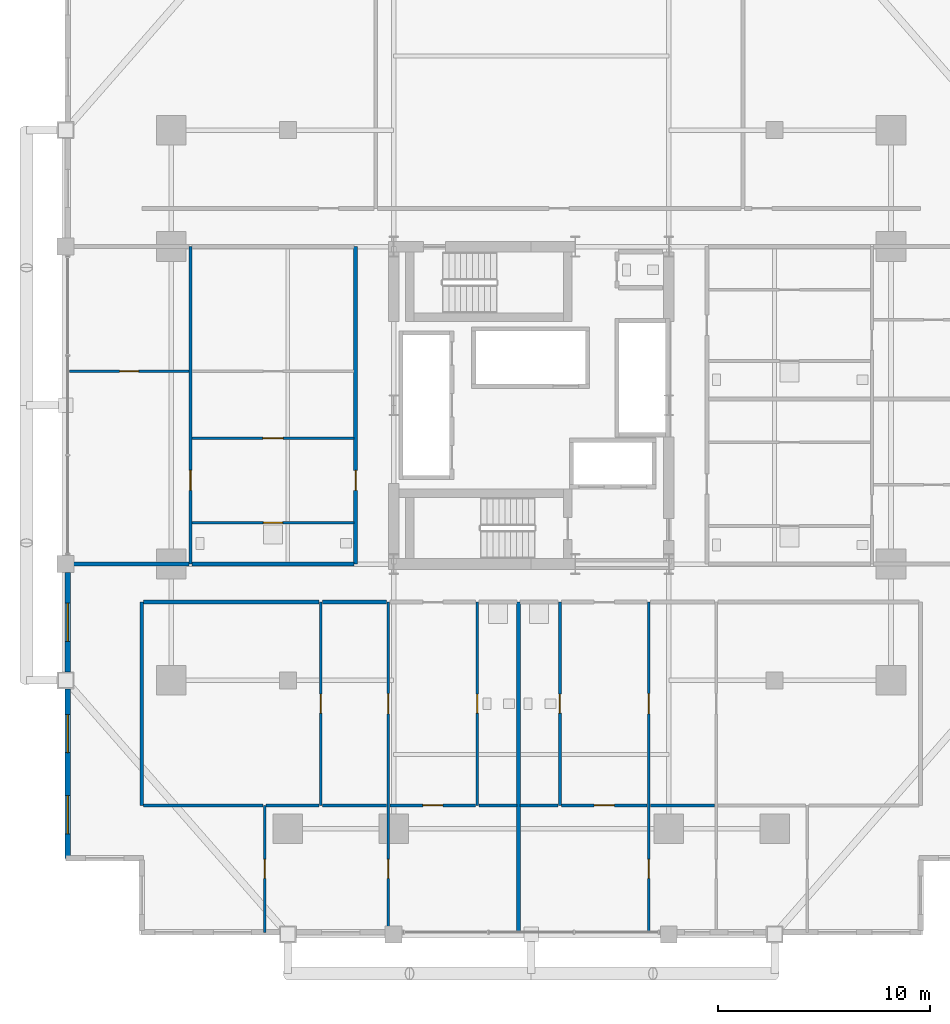
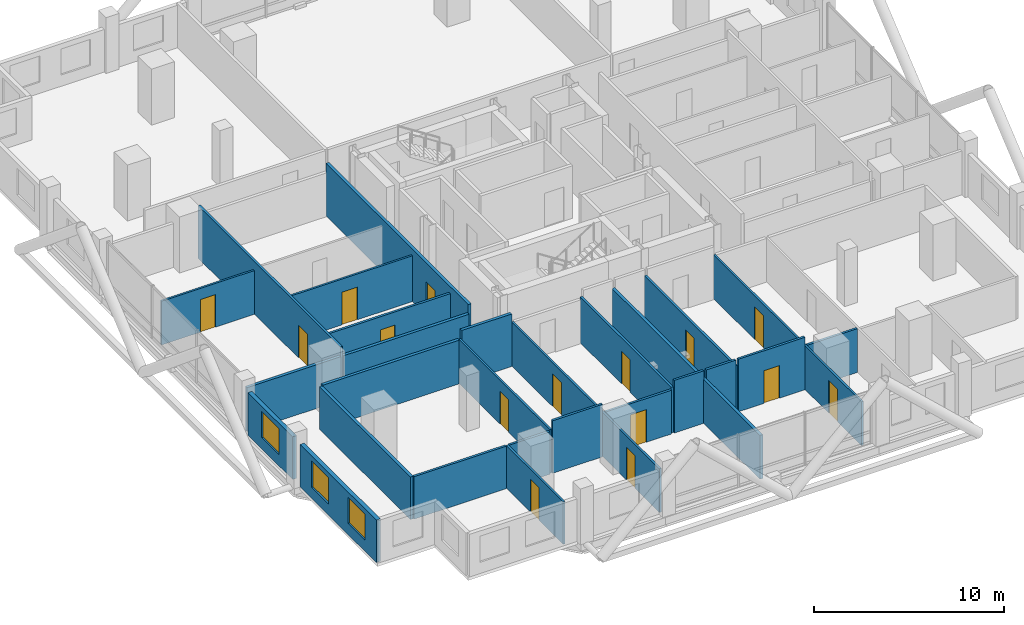
# One storey, part 21 of 27: 27 walls, 15 doors, 3 windows, 18 openings.
"""IFC4 building model written with IfcOpenShell, lengths in metres."""

import ifcopenshell
import ifcopenshell.guid

model = None  # the IFC model being written
_history = None  # IfcOwnerHistory: only IFC2X3 demands one
_inside = {}  # id of a spatial element -> (the spatial element, [elements in it])
_under = {}  # id of a project, library or spatial element -> (it, [spatial elements below it])
_declared = {}  # id of a project -> (the project, [libraries it declares])
_typed = {}  # id of a type object -> (the type object, [elements of that type])
_made_of = {}  # id of a material, layer set ... -> (it, [elements and type objects made of it])


def new_model(schema):
    """Start an empty IFC model of exactly this schema.

    Asked for "IFC4X3", IfcOpenShell would pick the latest addendum, in which some entities
    have other attributes; the version numbers below select the first issue.
    IFC2X3 requires an IfcOwnerHistory on every rooted entity: one is made here for all.
    """
    global model, _history
    if schema == "IFC4X3":
        model = ifcopenshell.file(schema_version=(4, 3, 0, 0))
    else:
        model = ifcopenshell.file(schema=schema)
    _inside.clear()
    _under.clear()
    _declared.clear()
    _typed.clear()
    _made_of.clear()
    _history = None
    if model.schema == "IFC2X3":
        org = make("IfcOrganization", Name="unknown")
        user = make(
            "IfcPersonAndOrganization",
            ThePerson=make("IfcPerson", FamilyName="unknown"),
            TheOrganization=org,
        )
        app = make(
            "IfcApplication",
            ApplicationDeveloper=org,
            Version="unknown",
            ApplicationFullName="unknown",
            ApplicationIdentifier="unknown",
        )
        _history = make(
            "IfcOwnerHistory",
            OwningUser=user,
            OwningApplication=app,
            ChangeAction="ADDED",
            CreationDate=0,
        )
    return model


def make(cls, **values):
    """One entity of the class cls with the attributes given. An attribute that is None is left unset."""
    return model.create_entity(
        cls, **{name: value for name, value in values.items() if value is not None}
    )


def rooted(cls, **values):
    """An entity with a GlobalId (a new one), such as an element, a storey or a relation."""
    return make(cls, GlobalId=ifcopenshell.guid.new(), OwnerHistory=_history, **values)


def si_unit(unit_type, name, prefix=None):
    """IfcSIUnit, for example si_unit("LENGTHUNIT", "METRE", prefix="MILLI")."""
    return make("IfcSIUnit", UnitType=unit_type, Prefix=prefix, Name=name)


def assignment(units):
    """IfcUnitAssignment: the units of a project."""
    return None if units is None else make("IfcUnitAssignment", Units=units)


def point(xyz):
    """IfcCartesianPoint."""
    return None if xyz is None else make("IfcCartesianPoint", Coordinates=xyz)


def direction(xyz):
    """IfcDirection."""
    return None if xyz is None else make("IfcDirection", DirectionRatios=xyz)


def frame(location, z_axis=None, x_axis=None):
    """IfcAxis2Placement3D, a coordinate frame: its origin and axes. An axis left out is left unset."""
    return make(
        "IfcAxis2Placement3D",
        Location=point(location),
        Axis=direction(z_axis),
        RefDirection=direction(x_axis),
    )


def frame_2d(location, x_axis=None):
    """IfcAxis2Placement2D, a coordinate frame in the plane: its origin and x axis."""
    return make(
        "IfcAxis2Placement2D", Location=point(location), RefDirection=direction(x_axis)
    )


def origin():
    """The frame at (0, 0, 0) with its axes left unset."""
    return frame((0.0, 0.0, 0.0))


def place(relative_to, where):
    """IfcLocalPlacement: puts the frame where relative to a parent placement (None: the world)."""
    return make(
        "IfcLocalPlacement", PlacementRelTo=relative_to, RelativePlacement=where
    )


def context(
    kind, dimensions, precision=None, world=None, true_north=None, identifier=None
):
    """IfcGeometricRepresentationContext, for example the 3D "Model" context."""
    return make(
        "IfcGeometricRepresentationContext",
        ContextIdentifier=identifier,
        ContextType=kind,
        CoordinateSpaceDimension=dimensions,
        Precision=precision,
        WorldCoordinateSystem=world,
        TrueNorth=true_north,
    )


def subcontext(parent, identifier, kind, view, scale=None):
    """IfcGeometricRepresentationSubContext, for example "Body" below "Model"."""
    return make(
        "IfcGeometricRepresentationSubContext",
        ContextIdentifier=identifier,
        ContextType=kind,
        ParentContext=parent,
        TargetScale=scale,
        TargetView=view,
    )


def project(units=None, contexts=None):
    """IfcProject with its units and contexts."""
    return rooted(
        "IfcProject",
        Name="project",
        RepresentationContexts=contexts,
        UnitsInContext=assignment(units),
    )


def spatial(cls, under=None, at=None, **own):
    """A site, building, storey or space (cls), placed at a placement, below another one or the project."""
    s = rooted(cls, ObjectPlacement=at, **own)
    if under is not None:
        _under.setdefault(under.id(), (under, []))[1].append(s)
    return s


def profile(cls, at=None, kind="AREA", **sizes):
    """A parametric profile (cls). Its sizes go by their IFC names, for example OverallWidth=200.0."""
    return make(cls, ProfileType=kind, Position=at, **sizes)


def rectangle(**sizes):
    """IfcRectangleProfileDef."""
    return profile("IfcRectangleProfileDef", **sizes)


def extrude(swept, where, along, depth):
    """IfcExtrudedAreaSolid: the profile swept, set in the frame where, extruded along a direction by depth."""
    return make(
        "IfcExtrudedAreaSolid",
        SweptArea=swept,
        Position=where,
        ExtrudedDirection=direction(along),
        Depth=depth,
    )


def shape(context_of_items, identifier, shape_type, items):
    """IfcShapeRepresentation: the items that make up one representation, for example the "Body"."""
    return make(
        "IfcShapeRepresentation",
        ContextOfItems=context_of_items,
        RepresentationIdentifier=identifier,
        RepresentationType=shape_type,
        Items=items,
    )


def material(Name=None, Category=None):
    """IfcMaterial."""
    return make("IfcMaterial", Name=Name, Category=Category)


def layer(
    of_material, thickness, ventilated=None, Name=None, Category=None, Priority=None
):
    """IfcMaterialLayer: one layer of a wall or slab, of a material (None: an air gap)."""
    return make(
        "IfcMaterialLayer",
        Material=of_material,
        LayerThickness=thickness,
        IsVentilated=ventilated,
        Name=Name,
        Category=Category,
        Priority=Priority,
    )


def layer_set(layers, Name=None):
    """IfcMaterialLayerSet."""
    return make("IfcMaterialLayerSet", MaterialLayers=layers, LayerSetName=Name)


def made_of(thing, what):
    """Note that an element or type object is made of a material, layer set ...; save() writes the relation."""
    if what is not None:
        _made_of.setdefault(what.id(), (what, []))[1].append(thing)
    return thing


def type_object(cls, material=None, **own):
    """A type object (cls), such as IfcWallType, which elements share."""
    return made_of(rooted(cls, **own), material)


def element(
    cls,
    number,
    at=None,
    inside=None,
    cuts=None,
    type_object=None,
    material=None,
    context=None,
    identifier="Body",
    shape_type=None,
    held_by="IfcProductDefinitionShape",
    body=None,
    shapes=None,
    **own,
):
    """One element of the class cls, such as IfcWall. Its Tag is "e" and its number.

    at: its placement. inside: the storey or other place that contains it. cuts: it is an
    opening in that element (IfcRelVoidsElement). A single representation is given by context,
    identifier, shape_type and body (its items); several are given by shapes. held_by: the class
    of the entity that holds the representations. save() writes the other relations.
    """
    e = rooted(cls, Tag="e%d" % number, ObjectPlacement=at, **own)
    if body is not None:
        shapes = [shape(context, identifier, shape_type, body)]
    if shapes is not None:
        e.Representation = make(held_by, Representations=shapes)
    if inside is not None:
        _inside.setdefault(inside.id(), (inside, []))[1].append(e)
    if cuts is not None:
        rooted(
            "IfcRelVoidsElement", RelatingBuildingElement=cuts, RelatedOpeningElement=e
        )
    if type_object is not None:
        _typed.setdefault(type_object.id(), (type_object, []))[1].append(e)
    return made_of(e, material)


def fill(opening, filler):
    """IfcRelFillsElement: the door or window that sits in an opening."""
    return rooted(
        "IfcRelFillsElement",
        RelatingOpeningElement=opening,
        RelatedBuildingElement=filler,
    )


def aggregate(whole, parts):
    """IfcRelAggregates: a whole, such as a stair, and the parts it consists of."""
    return rooted("IfcRelAggregates", RelatingObject=whole, RelatedObjects=parts)


def save(model, path):
    """Write the relations noted so far, then the file.

    IfcRelAggregates (storeys below a building ...), IfcRelContainedInSpatialStructure (elements
    in a storey), IfcRelDefinesByType, IfcRelAssociatesMaterial and IfcRelDeclares: one each for
    every whole, place, type object, material and project.
    """
    for whole, parts in _under.values():
        aggregate(whole, parts)
    for where, things in _inside.values():
        rooted(
            "IfcRelContainedInSpatialStructure",
            RelatedElements=things,
            RelatingStructure=where,
        )
    for kind, things in _typed.values():
        rooted("IfcRelDefinesByType", RelatedObjects=things, RelatingType=kind)
    for what, things in _made_of.values():
        rooted("IfcRelAssociatesMaterial", RelatedObjects=things, RelatingMaterial=what)
    for by, libraries in _declared.values():
        rooted("IfcRelDeclares", RelatingContext=by, RelatedDefinitions=libraries)
    model.write(path)


model = new_model("IFC4")

# Units and contexts
model_context = context("Model", 3, precision=1e-05, world=origin(), true_north=direction((0.0, 1.0)))
body_context = subcontext(model_context, "Body", "Model", "MODEL_VIEW")
ifc_project = project(units=[si_unit("LENGTHUNIT", "METRE"), si_unit("AREAUNIT", "SQUARE_METRE"), si_unit("VOLUMEUNIT", "CUBIC_METRE"), si_unit("PLANEANGLEUNIT", "RADIAN"), si_unit("MASSUNIT", "GRAM", prefix="KILO")], contexts=[model_context])

# Site, building, storey
site_placement = place(None, origin())
site = spatial("IfcSite", under=ifc_project, at=site_placement, CompositionType="ELEMENT")
building_placement = place(site_placement, origin())
building = spatial("IfcBuilding", under=site, at=building_placement, Name="Barlavira Tower and Art Museum", CompositionType="ELEMENT")
storey_placement = place(building_placement, frame((0.0, 0.0, 72.0)))
storey = spatial("IfcBuildingStorey", under=building, at=storey_placement, Name="L17", CompositionType="ELEMENT", Elevation=72.0)

# Wall, opening, door
ifc_material_1 = material(Name="Gypsum acoustic stud partition", Category="gypsum")
ifc_layer_1 = layer(ifc_material_1, 0.1201171875, Name="Gypsum acoustic stud partition")
ifc_layer_set_1 = layer_set([ifc_layer_1], Name="Gypsum acoustic stud partition")
wall_type_1 = type_object("IfcWallType", Name="Apartment Internal Acoustic Partition 120", PredefinedType="PARTITIONING", material=ifc_layer_set_1)
wall_1_placement = place(storey_placement, frame((-12.60009765625, -24.89990234375, 0.0), z_axis=(0.0, 0.0, 1.0), x_axis=(0.0, 1.0, 0.0)))
wall_1 = element("IfcWall", 1, at=wall_1_placement, inside=storey, type_object=wall_type_1, Name="L17 Partition Wall 3", PredefinedType="PARTITIONING", context=body_context, shape_type="SweptSolid", body=[
    extrude(rectangle(XDim=6.0, YDim=0.1201171875, at=frame_2d((3.0, 0.0))), origin(), (0.0, 0.0, 1.0), 2.736083984375),
])
opening_1_placement = place(wall_1_placement, frame((2.550048828125, 0.0, 0.0)))
opening_1 = element("IfcOpeningElement", 2, at=opening_1_placement, cuts=wall_1, Name="Opening D-01", PredefinedType="OPENING", context=body_context, shape_type="SweptSolid", body=[
    extrude(rectangle(XDim=0.89990234375, YDim=2.10009765625, at=frame_2d((0.449951171875, 1.050048828125))), frame((0.0, 0.070068359375, 0.0), z_axis=(0.0, -1.0, 0.0), x_axis=(1.0, 0.0, 0.0)), (0.0, 0.0, 1.0), 0.14013671875),
])
ifc_material_2 = material(Name="Engineered coastal hardwood", Category="wood")
door_type_1 = type_object("IfcDoorType", Name="Internal Bedroom Timber Flush Door 900x2100", OperationType="NOTDEFINED", PredefinedType="DOOR", material=ifc_material_2)
door_1_placement = place(opening_1_placement, origin())
door_1 = element("IfcDoor", 3, at=door_1_placement, inside=storey, type_object=door_type_1, Name="Apartment S1 Bedroom 2 Door", OperationType="SINGLE_SWING_RIGHT", OverallHeight=2.10009765625, OverallWidth=0.89990234375, PredefinedType="DOOR", context=body_context, shape_type="SweptSolid", body=[
    extrude(rectangle(XDim=0.89990234375, YDim=2.10009765625, at=frame_2d((0.449951171875, 1.050048828125))), frame((0.0, 0.02490234375, 0.0), z_axis=(0.0, -1.0, 0.0), x_axis=(1.0, 0.0, 0.0)), (0.0, 0.0, 1.0), 0.050048828125),
])
fill(opening_1, door_1)

wall_2_placement = place(storey_placement, frame((-9.949951171875, -18.89990234375, 0.0), z_axis=(0.0, 0.0, 1.0), x_axis=(0.0, 1.0, 0.0)))
wall_2 = element("IfcWall", 4, at=wall_2_placement, inside=storey, type_object=wall_type_1, Name="L17 Partition Wall 4", PredefinedType="PARTITIONING", context=body_context, shape_type="SweptSolid", body=[
    extrude(rectangle(XDim=9.599853515625, YDim=0.1201171875, at=frame_2d((4.7998046875, 0.0))), origin(), (0.0, 0.0, 1.0), 2.81591796875),
])
opening_2_placement = place(wall_2_placement, frame((4.35009765625, 0.0, 0.0)))
opening_2 = element("IfcOpeningElement", 5, at=opening_2_placement, cuts=wall_2, Name="Opening D-01", PredefinedType="OPENING", context=body_context, shape_type="SweptSolid", body=[
    extrude(rectangle(XDim=0.89990234375, YDim=2.10009765625, at=frame_2d((0.449951171875, 1.050048828125))), frame((0.0, 0.070068359375, 0.0), z_axis=(0.0, -1.0, 0.0), x_axis=(1.0, 0.0, 0.0)), (0.0, 0.0, 1.0), 0.14013671875),
])
door_2_placement = place(opening_2_placement, origin())
door_2 = element("IfcDoor", 6, at=door_2_placement, inside=storey, type_object=door_type_1, Name="Apartment S1 Walk-In Dressing Room Door", OperationType="SINGLE_SWING_LEFT", OverallHeight=2.10009765625, OverallWidth=0.89990234375, PredefinedType="DOOR", context=body_context, shape_type="SweptSolid", body=[
    extrude(rectangle(XDim=0.89990234375, YDim=2.10009765625, at=frame_2d((0.449951171875, 1.050048828125))), frame((0.0, 0.02490234375, 0.0), z_axis=(0.0, -1.0, 0.0), x_axis=(1.0, 0.0, 0.0)), (0.0, 0.0, 1.0), 0.050048828125),
])
fill(opening_2, door_2)

# Wall, openings, doors
wall_3_placement = place(storey_placement, frame((-6.75, -24.89990234375, 0.0), z_axis=(0.0, 0.0, 1.0), x_axis=(0.0, 1.0, 0.0)))
wall_3 = element("IfcWall", 7, at=wall_3_placement, inside=storey, type_object=wall_type_1, Name="L17 Partition Wall 7", PredefinedType="PARTITIONING", context=body_context, shape_type="SweptSolid", body=[
    extrude(rectangle(XDim=15.599853515625, YDim=0.1201171875, at=frame_2d((7.7998046875, 0.0))), origin(), (0.0, 0.0, 1.0), 2.81591796875),
])
opening_3_placement = place(wall_3_placement, frame((10.324951171875, 0.0, 0.0)))
opening_3 = element("IfcOpeningElement", 8, at=opening_3_placement, cuts=wall_3, Name="Opening D-02", PredefinedType="OPENING", context=body_context, shape_type="SweptSolid", body=[
    extrude(rectangle(XDim=0.949951171875, YDim=2.10009765625, at=frame_2d((0.47509765625, 1.050048828125))), frame((0.0, 0.070068359375, 0.0), z_axis=(0.0, -1.0, 0.0), x_axis=(1.0, 0.0, 0.0)), (0.0, 0.0, 1.0), 0.14013671875),
])
opening_4_placement = place(wall_3_placement, frame((2.550048828125, 0.0, 0.0)))
opening_4 = element("IfcOpeningElement", 9, at=opening_4_placement, cuts=wall_3, Name="Opening D-01", PredefinedType="OPENING", context=body_context, shape_type="SweptSolid", body=[
    extrude(rectangle(XDim=0.89990234375, YDim=2.10009765625, at=frame_2d((0.449951171875, 1.050048828125))), frame((0.0, 0.070068359375, 0.0), z_axis=(0.0, -1.0, 0.0), x_axis=(1.0, 0.0, 0.0)), (0.0, 0.0, 1.0), 0.14013671875),
])
door_3_placement = place(opening_4_placement, origin())
door_3 = element("IfcDoor", 10, at=door_3_placement, inside=storey, type_object=door_type_1, Name="Apartment S1 Bedroom 1 Door", OperationType="SINGLE_SWING_LEFT", OverallHeight=2.10009765625, OverallWidth=0.89990234375, PredefinedType="DOOR", context=body_context, shape_type="SweptSolid", body=[
    extrude(rectangle(XDim=0.89990234375, YDim=2.10009765625, at=frame_2d((0.449951171875, 1.050048828125))), frame((0.0, 0.02490234375, 0.0), z_axis=(0.0, -1.0, 0.0), x_axis=(1.0, 0.0, 0.0)), (0.0, 0.0, 1.0), 0.050048828125),
])
fill(opening_4, door_3)
door_type_2 = type_object("IfcDoorType", Name="Living and Salon Glazed-Leaf Door 950x2100", OperationType="NOTDEFINED", PredefinedType="DOOR", material=ifc_material_2)
door_4_placement = place(opening_3_placement, origin())
door_4 = element("IfcDoor", 11, at=door_4_placement, inside=storey, type_object=door_type_2, Name="Apartment S1 Kitchen Door", OperationType="SINGLE_SWING_RIGHT", OverallHeight=2.10009765625, OverallWidth=0.949951171875, PredefinedType="DOOR", context=body_context, shape_type="SweptSolid", body=[
    extrude(rectangle(XDim=0.949951171875, YDim=2.10009765625, at=frame_2d((0.47509765625, 1.050048828125))), frame((0.0, 0.02490234375, 0.0), z_axis=(0.0, -1.0, 0.0), x_axis=(1.0, 0.0, 0.0)), (0.0, 0.0, 1.0), 0.050048828125),
])
fill(opening_3, door_4)

wall_4_placement = place(storey_placement, frame((5.550048828125, -24.89990234375, 0.0), z_axis=(0.0, 0.0, 1.0), x_axis=(0.0, 1.0, 0.0)))
wall_4 = element("IfcWall", 12, at=wall_4_placement, inside=storey, type_object=wall_type_1, Name="L17 Partition Wall 12", PredefinedType="PARTITIONING", context=body_context, shape_type="SweptSolid", body=[
    extrude(rectangle(XDim=15.599853515625, YDim=0.1201171875, at=frame_2d((7.7998046875, 0.0))), origin(), (0.0, 0.0, 1.0), 2.81591796875),
])
opening_5_placement = place(wall_4_placement, frame((10.324951171875, 0.0, 0.0)))
opening_5 = element("IfcOpeningElement", 13, at=opening_5_placement, cuts=wall_4, Name="Opening D-02", PredefinedType="OPENING", context=body_context, shape_type="SweptSolid", body=[
    extrude(rectangle(XDim=0.949951171875, YDim=2.10009765625, at=frame_2d((0.47509765625, 1.050048828125))), frame((0.0, 0.070068359375, 0.0), z_axis=(0.0, -1.0, 0.0), x_axis=(1.0, 0.0, 0.0)), (0.0, 0.0, 1.0), 0.14013671875),
])
opening_6_placement = place(wall_4_placement, frame((2.550048828125, 0.0, 0.0)))
opening_6 = element("IfcOpeningElement", 14, at=opening_6_placement, cuts=wall_4, Name="Opening D-01", PredefinedType="OPENING", context=body_context, shape_type="SweptSolid", body=[
    extrude(rectangle(XDim=0.89990234375, YDim=2.10009765625, at=frame_2d((0.449951171875, 1.050048828125))), frame((0.0, 0.070068359375, 0.0), z_axis=(0.0, -1.0, 0.0), x_axis=(1.0, 0.0, 0.0)), (0.0, 0.0, 1.0), 0.14013671875),
])
door_5_placement = place(opening_6_placement, origin())
door_5 = element("IfcDoor", 15, at=door_5_placement, inside=storey, type_object=door_type_1, Name="Apartment S2 Bedroom 1 Door", OperationType="SINGLE_SWING_RIGHT", OverallHeight=2.10009765625, OverallWidth=0.89990234375, PredefinedType="DOOR", context=body_context, shape_type="SweptSolid", body=[
    extrude(rectangle(XDim=0.89990234375, YDim=2.10009765625, at=frame_2d((0.449951171875, 1.050048828125))), frame((0.0, 0.02490234375, 0.0), z_axis=(0.0, -1.0, 0.0), x_axis=(1.0, 0.0, 0.0)), (0.0, 0.0, 1.0), 0.050048828125),
])
fill(opening_6, door_5)
door_6_placement = place(opening_5_placement, origin())
door_6 = element("IfcDoor", 16, at=door_6_placement, inside=storey, type_object=door_type_2, Name="Apartment S2 Kitchen Door", OperationType="SINGLE_SWING_LEFT", OverallHeight=2.10009765625, OverallWidth=0.949951171875, PredefinedType="DOOR", context=body_context, shape_type="SweptSolid", body=[
    extrude(rectangle(XDim=0.949951171875, YDim=2.10009765625, at=frame_2d((0.47509765625, 1.050048828125))), frame((0.0, 0.02490234375, 0.0), z_axis=(0.0, -1.0, 0.0), x_axis=(1.0, 0.0, 0.0)), (0.0, 0.0, 1.0), 0.050048828125),
])
fill(opening_5, door_6)

# Wall, opening, door
wall_5_placement = place(storey_placement, frame((-16.02001953125, -1.550048828125, 0.0), z_axis=(0.0, 0.0, 1.0), x_axis=(1.0, 0.0, 0.0)))
wall_5 = element("IfcWall", 17, at=wall_5_placement, inside=storey, type_object=wall_type_1, Name="L17 Partition Wall 45", PredefinedType="PARTITIONING", context=body_context, shape_type="SweptSolid", body=[
    extrude(rectangle(XDim=7.64013671875, YDim=0.1201171875, at=frame_2d((3.820068359375, 0.0))), origin(), (0.0, 0.0, 1.0), 2.947998046875),
])
opening_7_placement = place(wall_5_placement, frame((3.344970703125, 0.0, 0.0)))
opening_7 = element("IfcOpeningElement", 18, at=opening_7_placement, cuts=wall_5, Name="Opening D-02", PredefinedType="OPENING", context=body_context, shape_type="SweptSolid", body=[
    extrude(rectangle(XDim=0.949951171875, YDim=2.10009765625, at=frame_2d((0.47509765625, 1.050048828125))), frame((0.0, 0.070068359375, 0.0), z_axis=(0.0, -1.0, 0.0), x_axis=(1.0, 0.0, 0.0)), (0.0, 0.0, 1.0), 0.14013671875),
])
door_7_placement = place(opening_7_placement, origin())
door_7 = element("IfcDoor", 19, at=door_7_placement, inside=storey, type_object=door_type_2, Name="Apartment W1 Kitchen Door", OperationType="SINGLE_SWING_RIGHT", OverallHeight=2.10009765625, OverallWidth=0.949951171875, PredefinedType="DOOR", context=body_context, shape_type="SweptSolid", body=[
    extrude(rectangle(XDim=0.949951171875, YDim=2.10009765625, at=frame_2d((0.47509765625, 1.050048828125))), frame((0.0, 0.02490234375, 0.0), z_axis=(0.0, -1.0, 0.0), x_axis=(1.0, 0.0, 0.0)), (0.0, 0.0, 1.0), 0.050048828125),
])
fill(opening_7, door_7)

wall_6_placement = place(storey_placement, frame((-21.820068359375, 1.60009765625, 0.0), z_axis=(0.0, 0.0, 1.0), x_axis=(1.0, 0.0, 0.0)))
wall_6 = element("IfcWall", 20, at=wall_6_placement, inside=storey, type_object=wall_type_1, Name="L17 Partition Wall 48", PredefinedType="PARTITIONING", context=body_context, shape_type="SweptSolid", body=[
    extrude(rectangle(XDim=5.64013671875, YDim=0.1201171875, at=frame_2d((2.820068359375, 0.0))), origin(), (0.0, 0.0, 1.0), 2.81591796875),
])
opening_8_placement = place(wall_6_placement, frame((2.3701171875, 0.0, 0.0)))
opening_8 = element("IfcOpeningElement", 21, at=opening_8_placement, cuts=wall_6, Name="Opening D-01", PredefinedType="OPENING", context=body_context, shape_type="SweptSolid", body=[
    extrude(rectangle(XDim=0.89990234375, YDim=2.10009765625, at=frame_2d((0.449951171875, 1.050048828125))), frame((0.0, 0.070068359375, 0.0), z_axis=(0.0, -1.0, 0.0), x_axis=(1.0, 0.0, 0.0)), (0.0, 0.0, 1.0), 0.14013671875),
])
door_8_placement = place(opening_8_placement, origin())
door_8 = element("IfcDoor", 22, at=door_8_placement, inside=storey, type_object=door_type_1, Name="Apartment W1 Bedroom 1 Door", OperationType="SINGLE_SWING_LEFT", OverallHeight=2.10009765625, OverallWidth=0.89990234375, PredefinedType="DOOR", context=body_context, shape_type="SweptSolid", body=[
    extrude(rectangle(XDim=0.89990234375, YDim=2.10009765625, at=frame_2d((0.449951171875, 1.050048828125))), frame((0.0, 0.02490234375, 0.0), z_axis=(0.0, -1.0, 0.0), x_axis=(1.0, 0.0, 0.0)), (0.0, 0.0, 1.0), 0.050048828125),
])
fill(opening_8, door_8)

# Wall
ifc_layer_2 = layer(ifc_material_1, 0.179931640625, Name="Gypsum acoustic stud partition")
ifc_layer_set_2 = layer_set([ifc_layer_2], Name="Gypsum acoustic stud partition")
wall_type_2 = type_object("IfcWallType", Name="Inter-Tenancy Party Partition Wall 180", PredefinedType="PARTITIONING", material=ifc_layer_set_2)
wall_7_placement = place(storey_placement, frame((-18.39990234375, -18.89990234375, 0.0), z_axis=(0.0, 0.0, 1.0), x_axis=(0.0, 1.0, 0.0)))
element("IfcWall", 23, at=wall_7_placement, inside=storey, type_object=wall_type_2, Name="L17 Partition Wall 1", PredefinedType="PARTITIONING", context=body_context, shape_type="SweptSolid", body=[
    extrude(rectangle(XDim=9.599853515625, YDim=0.179931640625, at=frame_2d((4.7998046875, 0.0))), origin(), (0.0, 0.0, 1.0), 2.736083984375),
])

# Wall, opening, door
wall_8_placement = place(storey_placement, frame((-8.300048828125, -7.5, 0.0), z_axis=(0.0, 0.0, 1.0), x_axis=(0.0, 1.0, 0.0)))
wall_8 = element("IfcWall", 24, at=wall_8_placement, inside=storey, type_object=wall_type_2, Name="L17 Partition Wall 5", PredefinedType="PARTITIONING", context=body_context, shape_type="SweptSolid", body=[
    extrude(rectangle(XDim=15.0, YDim=0.179931640625, at=frame_2d((7.5, 0.0))), origin(), (0.0, 0.0, 1.0), 3.3798828125),
])
opening_9_placement = place(wall_8_placement, frame((3.47509765625, 0.0, 0.0)))
opening_9 = element("IfcOpeningElement", 25, at=opening_9_placement, cuts=wall_8, Name="Opening FD-60", PredefinedType="OPENING", context=body_context, shape_type="SweptSolid", body=[
    extrude(rectangle(XDim=0.949951171875, YDim=2.14990234375, at=frame_2d((0.47509765625, 1.074951171875))), frame((0.0, 0.10009765625, 0.0), z_axis=(0.0, -1.0, 0.0), x_axis=(1.0, 0.0, 0.0)), (0.0, 0.0, 1.0), 0.199951171875),
])
ifc_material_3 = material(Name="Brushed stainless steel", Category="steel")
door_type_3 = type_object("IfcDoorType", Name="Apartment Entrance and Riser Fire Door 950x2150 FD60S", OperationType="NOTDEFINED", PredefinedType="DOOR", material=ifc_material_3)
door_9_placement = place(opening_9_placement, origin())
door_9 = element("IfcDoor", 26, at=door_9_placement, inside=storey, type_object=door_type_3, Name="Apartment Entrance Hall W1 Door", OperationType="SINGLE_SWING_LEFT", OverallHeight=2.14990234375, OverallWidth=0.949951171875, PredefinedType="DOOR", context=body_context, shape_type="SweptSolid", body=[
    extrude(rectangle(XDim=0.949951171875, YDim=2.14990234375, at=frame_2d((0.47509765625, 1.074951171875))), frame((0.0, 0.02490234375, 0.0), z_axis=(0.0, -1.0, 0.0), x_axis=(1.0, 0.0, 0.0)), (0.0, 0.0, 1.0), 0.050048828125),
])
fill(opening_9, door_9)

# Walls
wall_9_placement = place(storey_placement, frame((-0.60009765625, -24.89990234375, 0.0), z_axis=(0.0, 0.0, 1.0), x_axis=(0.0, 1.0, 0.0)))
element("IfcWall", 27, at=wall_9_placement, inside=storey, type_object=wall_type_2, Name="L17 Partition Wall 9", PredefinedType="PARTITIONING", context=body_context, shape_type="SweptSolid", body=[
    extrude(rectangle(XDim=15.599853515625, YDim=0.179931640625, at=frame_2d((7.7998046875, 0.0))), origin(), (0.0, 0.0, 1.0), 2.81591796875),
])
wall_10_placement = place(storey_placement, frame((-18.320068359375, -9.300048828125, 0.0), z_axis=(0.0, 0.0, 1.0), x_axis=(1.0, 0.0, 0.0)))
element("IfcWall", 28, at=wall_10_placement, inside=storey, type_object=wall_type_2, Name="L17 Partition Wall 29", PredefinedType="PARTITIONING", context=body_context, shape_type="SweptSolid", body=[
    extrude(rectangle(XDim=8.2900390625, YDim=0.179931640625, at=frame_2d((4.14501953125, 0.0))), origin(), (0.0, 0.0, 1.0), 2.81591796875),
])
wall_11_placement = place(storey_placement, frame((-9.8701171875, -9.300048828125, 0.0), z_axis=(0.0, 0.0, 1.0), x_axis=(1.0, 0.0, 0.0)))
element("IfcWall", 29, at=wall_11_placement, inside=storey, type_object=wall_type_2, Name="L17 Partition Wall 30", PredefinedType="PARTITIONING", context=body_context, shape_type="SweptSolid", body=[
    extrude(rectangle(XDim=3.0400390625, YDim=0.179931640625, at=frame_2d((1.52001953125, 0.0))), origin(), (0.0, 0.0, 1.0), 3.3798828125),
])
wall_12_placement = place(storey_placement, frame((-21.89990234375, -7.5, 0.0), z_axis=(0.0, 0.0, 1.0), x_axis=(1.0, 0.0, 0.0)))
element("IfcWall", 30, at=wall_12_placement, inside=storey, type_object=wall_type_2, Name="L17 Partition Wall 37", PredefinedType="PARTITIONING", context=body_context, shape_type="SweptSolid", body=[
    extrude(rectangle(XDim=5.719970703125, YDim=0.179931640625, at=frame_2d((2.85986328125, 0.0))), origin(), (0.0, 0.0, 1.0), 2.81591796875),
])
wall_13_placement = place(storey_placement, frame((-16.02001953125, -7.5, 0.0), z_axis=(0.0, 0.0, 1.0), x_axis=(1.0, 0.0, 0.0)))
element("IfcWall", 31, at=wall_13_placement, inside=storey, type_object=wall_type_2, Name="L17 Partition Wall 38", PredefinedType="PARTITIONING", context=body_context, shape_type="SweptSolid", body=[
    extrude(rectangle(XDim=7.64013671875, YDim=0.179931640625, at=frame_2d((3.820068359375, 0.0))), origin(), (0.0, 0.0, 1.0), 2.81591796875),
])

# Wall, opening, door
ifc_layer_3 = layer(ifc_material_1, 0.139892578125, Name="Gypsum acoustic stud partition")
ifc_layer_set_3 = layer_set([ifc_layer_3], Name="Gypsum acoustic stud partition")
wall_type_3 = type_object("IfcWallType", Name="Moisture-Resistant Bathroom Partition 140", PredefinedType="PARTITIONING", material=ifc_layer_set_3)
wall_14_placement = place(storey_placement, frame((-16.10009765625, -7.5, 0.0), z_axis=(0.0, 0.0, 1.0), x_axis=(0.0, 1.0, 0.0)))
wall_14 = element("IfcWall", 32, at=wall_14_placement, inside=storey, type_object=wall_type_3, Name="L17 Partition Wall 2", PredefinedType="PARTITIONING", context=body_context, shape_type="SweptSolid", body=[
    extrude(rectangle(XDim=15.0, YDim=0.139892578125, at=frame_2d((7.5, 0.0))), origin(), (0.0, 0.0, 1.0), 3.3798828125),
])
opening_10_placement = place(wall_14_placement, frame((3.47509765625, 0.0, 0.0)))
opening_10 = element("IfcOpeningElement", 33, at=opening_10_placement, cuts=wall_14, Name="Opening D-02", PredefinedType="OPENING", context=body_context, shape_type="SweptSolid", body=[
    extrude(rectangle(XDim=0.949951171875, YDim=2.10009765625, at=frame_2d((0.47509765625, 1.050048828125))), frame((0.0, 0.080078125, 0.0), z_axis=(0.0, -1.0, 0.0), x_axis=(1.0, 0.0, 0.0)), (0.0, 0.0, 1.0), 0.159912109375),
])
door_10_placement = place(opening_10_placement, origin())
door_10 = element("IfcDoor", 34, at=door_10_placement, inside=storey, type_object=door_type_2, Name="Apartment W1 Living Lounge Door", OperationType="SINGLE_SWING_RIGHT", OverallHeight=2.10009765625, OverallWidth=0.949951171875, PredefinedType="DOOR", context=body_context, shape_type="SweptSolid", body=[
    extrude(rectangle(XDim=0.949951171875, YDim=2.10009765625, at=frame_2d((0.47509765625, 1.050048828125))), frame((0.0, 0.02490234375, 0.0), z_axis=(0.0, -1.0, 0.0), x_axis=(1.0, 0.0, 0.0)), (0.0, 0.0, 1.0), 0.050048828125),
])
fill(opening_10, door_10)

wall_15_placement = place(storey_placement, frame((-2.550048828125, -18.89990234375, 0.0), z_axis=(0.0, 0.0, 1.0), x_axis=(0.0, 1.0, 0.0)))
wall_15 = element("IfcWall", 35, at=wall_15_placement, inside=storey, type_object=wall_type_3, Name="L17 Partition Wall 8", PredefinedType="PARTITIONING", context=body_context, shape_type="SweptSolid", body=[
    extrude(rectangle(XDim=9.599853515625, YDim=0.139892578125, at=frame_2d((4.7998046875, 0.0))), origin(), (0.0, 0.0, 1.0), 2.947998046875),
])
opening_11_placement = place(wall_15_placement, frame((4.35009765625, 0.0, 0.0)))
opening_11 = element("IfcOpeningElement", 36, at=opening_11_placement, cuts=wall_15, Name="Opening D-WC", PredefinedType="OPENING", context=body_context, shape_type="SweptSolid", body=[
    extrude(rectangle(XDim=0.89990234375, YDim=2.10009765625, at=frame_2d((0.449951171875, 1.050048828125))), frame((0.0, 0.080078125, 0.0), z_axis=(0.0, -1.0, 0.0), x_axis=(1.0, 0.0, 0.0)), (0.0, 0.0, 1.0), 0.159912109375),
])
door_type_4 = type_object("IfcDoorType", Name="Accessible Bathroom Flush Door 900x2100", OperationType="NOTDEFINED", PredefinedType="DOOR", material=ifc_material_2)
door_11_placement = place(opening_11_placement, origin())
door_11 = element("IfcDoor", 37, at=door_11_placement, inside=storey, type_object=door_type_4, Name="Apartment S1 Hall Bathroom Door", OperationType="SINGLE_SWING_RIGHT", OverallHeight=2.10009765625, OverallWidth=0.89990234375, PredefinedType="DOOR", context=body_context, shape_type="SweptSolid", body=[
    extrude(rectangle(XDim=0.89990234375, YDim=2.10009765625, at=frame_2d((0.449951171875, 1.050048828125))), frame((0.0, 0.02490234375, 0.0), z_axis=(0.0, -1.0, 0.0), x_axis=(1.0, 0.0, 0.0)), (0.0, 0.0, 1.0), 0.050048828125),
])
fill(opening_11, door_11)

wall_16_placement = place(storey_placement, frame((1.35009765625, -18.89990234375, 0.0), z_axis=(0.0, 0.0, 1.0), x_axis=(0.0, 1.0, 0.0)))
wall_16 = element("IfcWall", 38, at=wall_16_placement, inside=storey, type_object=wall_type_3, Name="L17 Partition Wall 10", PredefinedType="PARTITIONING", context=body_context, shape_type="SweptSolid", body=[
    extrude(rectangle(XDim=9.599853515625, YDim=0.139892578125, at=frame_2d((4.7998046875, 0.0))), origin(), (0.0, 0.0, 1.0), 2.947998046875),
])
opening_12_placement = place(wall_16_placement, frame((4.35009765625, 0.0, 0.0)))
opening_12 = element("IfcOpeningElement", 39, at=opening_12_placement, cuts=wall_16, Name="Opening D-WC", PredefinedType="OPENING", context=body_context, shape_type="SweptSolid", body=[
    extrude(rectangle(XDim=0.89990234375, YDim=2.10009765625, at=frame_2d((0.449951171875, 1.050048828125))), frame((0.0, 0.080078125, 0.0), z_axis=(0.0, -1.0, 0.0), x_axis=(1.0, 0.0, 0.0)), (0.0, 0.0, 1.0), 0.159912109375),
])
door_12_placement = place(opening_12_placement, origin())
door_12 = element("IfcDoor", 40, at=door_12_placement, inside=storey, type_object=door_type_4, Name="Apartment S2 Hall Bathroom Door", OperationType="SINGLE_SWING_LEFT", OverallHeight=2.10009765625, OverallWidth=0.89990234375, PredefinedType="DOOR", context=body_context, shape_type="SweptSolid", body=[
    extrude(rectangle(XDim=0.89990234375, YDim=2.10009765625, at=frame_2d((0.449951171875, 1.050048828125))), frame((0.0, 0.02490234375, 0.0), z_axis=(0.0, -1.0, 0.0), x_axis=(1.0, 0.0, 0.0)), (0.0, 0.0, 1.0), 0.050048828125),
])
fill(opening_12, door_12)

# Walls
wall_17_placement = place(storey_placement, frame((-18.320068359375, -18.89990234375, 0.0), z_axis=(0.0, 0.0, 1.0), x_axis=(1.0, 0.0, 0.0)))
element("IfcWall", 41, at=wall_17_placement, inside=storey, type_object=wall_type_3, Name="L17 Partition Wall 19", PredefinedType="PARTITIONING", context=body_context, shape_type="SweptSolid", body=[
    extrude(rectangle(XDim=5.64013671875, YDim=0.139892578125, at=frame_2d((2.820068359375, 0.0))), origin(), (0.0, 0.0, 1.0), 2.736083984375),
])
wall_18_placement = place(storey_placement, frame((-12.52001953125, -18.89990234375, 0.0), z_axis=(0.0, 0.0, 1.0), x_axis=(1.0, 0.0, 0.0)))
element("IfcWall", 42, at=wall_18_placement, inside=storey, type_object=wall_type_3, Name="L17 Partition Wall 20", PredefinedType="PARTITIONING", context=body_context, shape_type="SweptSolid", body=[
    extrude(rectangle(XDim=2.489990234375, YDim=0.139892578125, at=frame_2d((1.2451171875, 0.0))), origin(), (0.0, 0.0, 1.0), 2.736083984375),
])
wall_19_placement = place(storey_placement, frame((-9.8701171875, -18.89990234375, 0.0), z_axis=(0.0, 0.0, 1.0), x_axis=(1.0, 0.0, 0.0)))
element("IfcWall", 43, at=wall_19_placement, inside=storey, type_object=wall_type_3, Name="L17 Partition Wall 21", PredefinedType="PARTITIONING", context=body_context, shape_type="SweptSolid", body=[
    extrude(rectangle(XDim=3.0400390625, YDim=0.139892578125, at=frame_2d((1.52001953125, 0.0))), origin(), (0.0, 0.0, 1.0), 3.3798828125),
])

# Wall, opening, door
wall_20_placement = place(storey_placement, frame((-6.669921875, -18.89990234375, 0.0), z_axis=(0.0, 0.0, 1.0), x_axis=(1.0, 0.0, 0.0)))
wall_20 = element("IfcWall", 44, at=wall_20_placement, inside=storey, type_object=wall_type_3, Name="L17 Partition Wall 22", PredefinedType="PARTITIONING", context=body_context, shape_type="SweptSolid", body=[
    extrude(rectangle(XDim=4.0400390625, YDim=0.139892578125, at=frame_2d((2.02001953125, 0.0))), origin(), (0.0, 0.0, 1.0), 2.81591796875),
])
opening_13_placement = place(wall_20_placement, frame((1.544921875, 0.0, 0.0)))
opening_13 = element("IfcOpeningElement", 45, at=opening_13_placement, cuts=wall_20, Name="Opening D-02", PredefinedType="OPENING", context=body_context, shape_type="SweptSolid", body=[
    extrude(rectangle(XDim=0.949951171875, YDim=2.10009765625, at=frame_2d((0.47509765625, 1.050048828125))), frame((0.0, 0.080078125, 0.0), z_axis=(0.0, -1.0, 0.0), x_axis=(1.0, 0.0, 0.0)), (0.0, 0.0, 1.0), 0.159912109375),
])
door_13_placement = place(opening_13_placement, origin())
door_13 = element("IfcDoor", 46, at=door_13_placement, inside=storey, type_object=door_type_2, Name="Apartment S1 Living Lounge Door", OperationType="SINGLE_SWING_RIGHT", OverallHeight=2.10009765625, OverallWidth=0.949951171875, PredefinedType="DOOR", context=body_context, shape_type="SweptSolid", body=[
    extrude(rectangle(XDim=0.949951171875, YDim=2.10009765625, at=frame_2d((0.47509765625, 1.050048828125))), frame((0.0, 0.02490234375, 0.0), z_axis=(0.0, -1.0, 0.0), x_axis=(1.0, 0.0, 0.0)), (0.0, 0.0, 1.0), 0.050048828125),
])
fill(opening_13, door_13)

# Walls
for number, where, z_axis, x_axis, name in (
    (47, (-2.469970703125, -18.89990234375, 0.0), (0.0, 0.0, 1.0), (1.0, 0.0, 0.0), "L17 Partition Wall 23"),
    (48, (-0.52001953125, -18.89990234375, 0.0), (0.0, 0.0, 1.0), (1.0, 0.0, 0.0), "L17 Partition Wall 24"),
):
    element("IfcWall", number, at=place(storey_placement, frame(where, z_axis=z_axis, x_axis=x_axis)), inside=storey, type_object=wall_type_3, Name=name, PredefinedType="PARTITIONING", context=body_context, shape_type="SweptSolid", body=[
        extrude(rectangle(XDim=1.7900390625, YDim=0.139892578125, at=frame_2d((0.89501953125, 0.0))), origin(), (0.0, 0.0, 1.0), 3.3798828125),
    ])

# Wall, opening, door
wall_21_placement = place(storey_placement, frame((1.429931640625, -18.89990234375, 0.0), z_axis=(0.0, 0.0, 1.0), x_axis=(1.0, 0.0, 0.0)))
wall_21 = element("IfcWall", 49, at=wall_21_placement, inside=storey, type_object=wall_type_3, Name="L17 Partition Wall 25", PredefinedType="PARTITIONING", context=body_context, shape_type="SweptSolid", body=[
    extrude(rectangle(XDim=4.0400390625, YDim=0.139892578125, at=frame_2d((2.02001953125, 0.0))), origin(), (0.0, 0.0, 1.0), 3.3798828125),
])
opening_14_placement = place(wall_21_placement, frame((1.544921875, 0.0, 0.0)))
opening_14 = element("IfcOpeningElement", 50, at=opening_14_placement, cuts=wall_21, Name="Opening D-02", PredefinedType="OPENING", context=body_context, shape_type="SweptSolid", body=[
    extrude(rectangle(XDim=0.949951171875, YDim=2.10009765625, at=frame_2d((0.47509765625, 1.050048828125))), frame((0.0, 0.080078125, 0.0), z_axis=(0.0, -1.0, 0.0), x_axis=(1.0, 0.0, 0.0)), (0.0, 0.0, 1.0), 0.159912109375),
])
door_14_placement = place(opening_14_placement, origin())
door_14 = element("IfcDoor", 51, at=door_14_placement, inside=storey, type_object=door_type_2, Name="Apartment S2 Living Lounge Door", OperationType="SINGLE_SWING_LEFT", OverallHeight=2.10009765625, OverallWidth=0.949951171875, PredefinedType="DOOR", context=body_context, shape_type="SweptSolid", body=[
    extrude(rectangle(XDim=0.949951171875, YDim=2.10009765625, at=frame_2d((0.47509765625, 1.050048828125))), frame((0.0, 0.02490234375, 0.0), z_axis=(0.0, -1.0, 0.0), x_axis=(1.0, 0.0, 0.0)), (0.0, 0.0, 1.0), 0.050048828125),
])
fill(opening_14, door_14)

# Wall
wall_22_placement = place(storey_placement, frame((5.6298828125, -18.89990234375, 0.0), z_axis=(0.0, 0.0, 1.0), x_axis=(1.0, 0.0, 0.0)))
element("IfcWall", 52, at=wall_22_placement, inside=storey, type_object=wall_type_3, Name="L17 Partition Wall 26", PredefinedType="PARTITIONING", context=body_context, shape_type="SweptSolid", body=[
    extrude(rectangle(XDim=3.0400390625, YDim=0.139892578125, at=frame_2d((1.52001953125, 0.0))), origin(), (0.0, 0.0, 1.0), 2.81591796875),
])

# Wall, opening, door
wall_23_placement = place(storey_placement, frame((-16.02001953125, -5.550048828125, 0.0), z_axis=(0.0, 0.0, 1.0), x_axis=(1.0, 0.0, 0.0)))
wall_23 = element("IfcWall", 53, at=wall_23_placement, inside=storey, type_object=wall_type_3, Name="L17 Partition Wall 42", PredefinedType="PARTITIONING", context=body_context, shape_type="SweptSolid", body=[
    extrude(rectangle(XDim=7.64013671875, YDim=0.139892578125, at=frame_2d((3.820068359375, 0.0))), origin(), (0.0, 0.0, 1.0), 2.947998046875),
])
opening_15_placement = place(wall_23_placement, frame((3.3701171875, 0.0, 0.0)))
opening_15 = element("IfcOpeningElement", 54, at=opening_15_placement, cuts=wall_23, Name="Opening D-WC", PredefinedType="OPENING", context=body_context, shape_type="SweptSolid", body=[
    extrude(rectangle(XDim=0.89990234375, YDim=2.10009765625, at=frame_2d((0.449951171875, 1.050048828125))), frame((0.0, 0.080078125, 0.0), z_axis=(0.0, -1.0, 0.0), x_axis=(1.0, 0.0, 0.0)), (0.0, 0.0, 1.0), 0.159912109375),
])
door_15_placement = place(opening_15_placement, origin())
door_15 = element("IfcDoor", 55, at=door_15_placement, inside=storey, type_object=door_type_4, Name="Apartment W1 Hall Bathroom Door", OperationType="SINGLE_SWING_RIGHT", OverallHeight=2.10009765625, OverallWidth=0.89990234375, PredefinedType="DOOR", context=body_context, shape_type="SweptSolid", body=[
    extrude(rectangle(XDim=0.89990234375, YDim=2.10009765625, at=frame_2d((0.449951171875, 1.050048828125))), frame((0.0, 0.02490234375, 0.0), z_axis=(0.0, -1.0, 0.0), x_axis=(1.0, 0.0, 0.0)), (0.0, 0.0, 1.0), 0.050048828125),
])
fill(opening_15, door_15)

# Wall, opening, window
ifc_material_4 = material(Name="Precast concrete C40", Category="concrete")
ifc_layer_4 = layer(ifc_material_4, 0.25, Name="Precast concrete C40")
ifc_layer_set_4 = layer_set([ifc_layer_4], Name="Precast concrete C40")
wall_type_4 = type_object("IfcWallType", Name="Notched Corner Spandrel Wall 250 Precast Concrete C40", PredefinedType="SOLIDWALL", material=ifc_layer_set_4)
wall_24_placement = place(storey_placement, frame((-21.89990234375, -7.89501953125, 0.0), z_axis=(0.0, 0.0, 1.0), x_axis=(0.0, -1.0, 0.0)))
wall_24 = element("IfcWall", 56, at=wall_24_placement, inside=storey, type_object=wall_type_4, Name="L17 Coastal Facade Pier Wall CW1-L17-W-4", PredefinedType="SOLIDWALL", context=body_context, shape_type="SweptSolid", body=[
    extrude(rectangle(XDim=4.7099609375, YDim=0.25, at=frame_2d((2.35498046875, 0.0))), origin(), (0.0, 0.0, 1.0), 2.736083984375),
])
opening_16_placement = place(wall_24_placement, frame((1.455078125, 0.0, 0.719970703125)))
opening_16 = element("IfcOpeningElement", 57, at=opening_16_placement, cuts=wall_24, Name="Opening WN-01", PredefinedType="OPENING", context=body_context, shape_type="SweptSolid", body=[
    extrude(rectangle(XDim=1.800048828125, YDim=1.679931640625, at=frame_2d((0.89990234375, 0.83984375))), frame((0.0, 0.135009765625, 0.0), z_axis=(0.0, -1.0, 0.0), x_axis=(1.0, 0.0, 0.0)), (0.0, 0.0, 1.0), 0.27001953125),
])
ifc_material_5 = material(Name="Low-iron coastal laminated glass", Category="glass")
window_type = type_object("IfcWindowType", Name="Recessed Notch Corner Punch Window 1800x1680", PartitioningType="SINGLE_PANEL", PredefinedType="WINDOW", material=ifc_material_5)
window_1_placement = place(opening_16_placement, origin())
window_1 = element("IfcWindow", 58, at=window_1_placement, inside=storey, type_object=window_type, Name="L17 Punched Facade Window EWP-CW1-L17-W-4-1", OverallHeight=1.679931640625, OverallWidth=1.800048828125, PartitioningType="SINGLE_PANEL", PredefinedType="WINDOW", context=body_context, shape_type="SweptSolid", body=[
    extrude(rectangle(XDim=1.800048828125, YDim=1.679931640625, at=frame_2d((0.89990234375, 0.83984375))), frame((0.0, 0.030029296875, 0.0), z_axis=(0.0, -1.0, 0.0), x_axis=(1.0, 0.0, 0.0)), (0.0, 0.0, 1.0), 0.06005859375),
])
fill(opening_16, window_1)

# Wall, openings, windows
wall_25_placement = place(storey_placement, frame((-21.89990234375, -13.39501953125, 0.0), z_axis=(0.0, 0.0, 1.0), x_axis=(0.0, -1.0, 0.0)))
wall_25 = element("IfcWall", 59, at=wall_25_placement, inside=storey, type_object=wall_type_4, Name="L17 Coastal Facade Pier Wall CW1-L17-W-5", PredefinedType="SOLIDWALL", context=body_context, shape_type="SweptSolid", body=[
    extrude(rectangle(XDim=8.030029296875, YDim=0.25, at=frame_2d((4.01513671875, 0.0))), origin(), (0.0, 0.0, 1.0), 2.736083984375),
])
opening_17_placement = place(wall_25_placement, frame((1.220947265625, 0.0, 0.719970703125)))
opening_17 = element("IfcOpeningElement", 60, at=opening_17_placement, cuts=wall_25, Name="Opening WN-01", PredefinedType="OPENING", context=body_context, shape_type="SweptSolid", body=[
    extrude(rectangle(XDim=1.800048828125, YDim=1.679931640625, at=frame_2d((0.89990234375, 0.83984375))), frame((0.0, 0.135009765625, 0.0), z_axis=(0.0, -1.0, 0.0), x_axis=(1.0, 0.0, 0.0)), (0.0, 0.0, 1.0), 0.27001953125),
])
opening_18_placement = place(wall_25_placement, frame((5.053955078125, 0.0, 0.719970703125)))
opening_18 = element("IfcOpeningElement", 61, at=opening_18_placement, cuts=wall_25, Name="Opening WN-01", PredefinedType="OPENING", context=body_context, shape_type="SweptSolid", body=[
    extrude(rectangle(XDim=1.800048828125, YDim=1.679931640625, at=frame_2d((0.89990234375, 0.83984375))), frame((0.0, 0.135009765625, 0.0), z_axis=(0.0, -1.0, 0.0), x_axis=(1.0, 0.0, 0.0)), (0.0, 0.0, 1.0), 0.27001953125),
])
window_2_placement = place(opening_17_placement, origin())
window_2 = element("IfcWindow", 62, at=window_2_placement, inside=storey, type_object=window_type, Name="L17 Punched Facade Window EWP-CW1-L17-W-5-1", OverallHeight=1.679931640625, OverallWidth=1.800048828125, PartitioningType="SINGLE_PANEL", PredefinedType="WINDOW", context=body_context, shape_type="SweptSolid", body=[
    extrude(rectangle(XDim=1.800048828125, YDim=1.679931640625, at=frame_2d((0.89990234375, 0.83984375))), frame((0.0, 0.030029296875, 0.0), z_axis=(0.0, -1.0, 0.0), x_axis=(1.0, 0.0, 0.0)), (0.0, 0.0, 1.0), 0.06005859375),
])
fill(opening_17, window_2)
window_3_placement = place(opening_18_placement, origin())
window_3 = element("IfcWindow", 63, at=window_3_placement, inside=storey, type_object=window_type, Name="L17 Punched Facade Window EWP-CW1-L17-W-5-2", OverallHeight=1.679931640625, OverallWidth=1.800048828125, PartitioningType="SINGLE_PANEL", PredefinedType="WINDOW", context=body_context, shape_type="SweptSolid", body=[
    extrude(rectangle(XDim=1.800048828125, YDim=1.679931640625, at=frame_2d((0.89990234375, 0.83984375))), frame((0.0, 0.030029296875, 0.0), z_axis=(0.0, -1.0, 0.0), x_axis=(1.0, 0.0, 0.0)), (0.0, 0.0, 1.0), 0.06005859375),
])
fill(opening_18, window_3)

save(model, "model.ifc")
